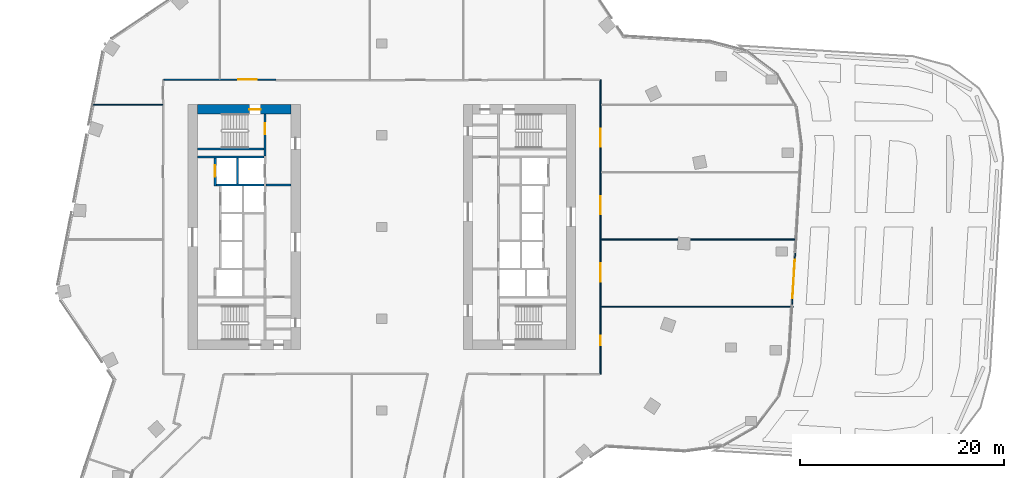
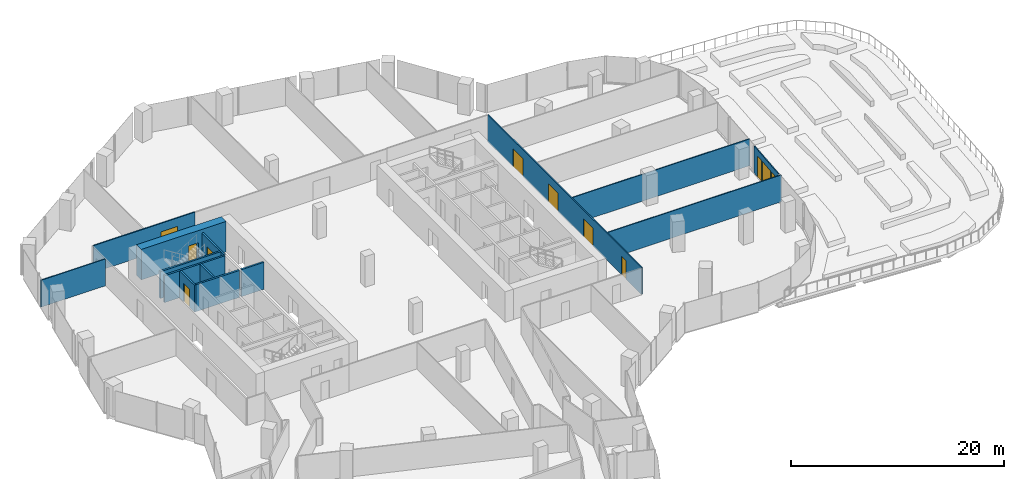
# One storey, part 22 of 26: 14 walls, 9 doors, 2 windows, 11 openings.
"""IFC4 building model written with IfcOpenShell, lengths in metres."""

from ifc_helpers import new_model, si_unit, direction, frame, frame_2d, origin, place, context, subcontext, project, spatial, rectangle, extrude, material, layer, layer_set, type_object, element, fill, save


model = new_model("IFC4")

# Units and contexts
model_context = context("Model", 3, precision=1e-05, world=origin(), true_north=direction((0.0, 1.0)))
body_context = subcontext(model_context, "Body", "Model", "MODEL_VIEW")
ifc_project = project(units=[si_unit("LENGTHUNIT", "METRE"), si_unit("AREAUNIT", "SQUARE_METRE"), si_unit("VOLUMEUNIT", "CUBIC_METRE"), si_unit("PLANEANGLEUNIT", "RADIAN"), si_unit("MASSUNIT", "GRAM", prefix="KILO")], contexts=[model_context])

# Site, building, storey
site_placement = place(None, origin())
site = spatial("IfcSite", under=ifc_project, at=site_placement, CompositionType="ELEMENT")
building_placement = place(site_placement, origin())
building = spatial("IfcBuilding", under=site, at=building_placement, Name="Orlundy Tower", CompositionType="ELEMENT")
storey_placement = place(building_placement, frame((0.0, 0.0, 156.10009765625)))
storey = spatial("IfcBuildingStorey", under=building, at=storey_placement, Name="L40", CompositionType="ELEMENT", Elevation=156.10009765625)

# Wall, opening, door
ifc_material_1 = material(Name="Concrete C70/85", Category="concrete")
ifc_layer_1 = layer(ifc_material_1, 0.89990234375)
ifc_layer_set_1 = layer_set([ifc_layer_1], Name="CORE WALL 900 C70/85")
wall_type_1 = type_object("IfcWallType", Name="CORE WALL 900 C70/85", PredefinedType="SHEAR", material=ifc_layer_set_1)
wall_1_placement = place(storey_placement, frame((-18.10009765625, 11.550048828125, 0.0), z_axis=(0.0, 0.0, 1.0), x_axis=(1.0, 0.0, 0.0)))
wall_1 = element("IfcWall", 1, at=wall_1_placement, inside=storey, type_object=wall_type_1, Name="Core wall W-N L40", PredefinedType="SHEAR", context=body_context, shape_type="SweptSolid", body=[
    extrude(rectangle(XDim=9.2001953125, YDim=0.89990234375, at=frame_2d((4.60009765625, 0.0))), origin(), (0.0, 0.0, 1.0), 3.5),
])
opening_1_placement = place(wall_1_placement, frame((5.10009765625, 0.0, 0.0)))
opening_1 = element("IfcOpeningElement", 2, at=opening_1_placement, cuts=wall_1, Name="Opening 31012", PredefinedType="OPENING", context=body_context, shape_type="SweptSolid", body=[
    extrude(rectangle(XDim=1.10009765625, YDim=2.10009765625, at=frame_2d((0.550048828125, 1.050048828125))), frame((0.0, 0.4599609375, 0.0), z_axis=(0.0, -1.0, 0.0), x_axis=(1.0, 0.0, 0.0)), (0.0, 0.0, 1.0), 0.919921875),
])
ifc_material_2 = material(Name="Steel door set", Category="steel")
door_type_1 = type_object("IfcDoorType", Name="Stair Door 1100x2100", OperationType="SINGLE_SWING_LEFT", PredefinedType="DOOR", material=ifc_material_2)
door_1_placement = place(opening_1_placement, origin())
door_1 = element("IfcDoor", 3, at=door_1_placement, inside=storey, type_object=door_type_1, Name="Stair door 31012", OperationType="SINGLE_SWING_RIGHT", OverallHeight=2.10009765625, OverallWidth=1.10009765625, PredefinedType="DOOR", context=body_context, shape_type="SweptSolid", body=[
    extrude(rectangle(XDim=1.10009765625, YDim=2.10009765625, at=frame_2d((0.550048828125, 1.050048828125))), frame((0.0, 0.02490234375, 0.0), z_axis=(0.0, -1.0, 0.0), x_axis=(1.0, 0.0, 0.0)), (0.0, 0.0, 1.0), 0.050048828125),
])
fill(opening_1, door_1)

# Walls
ifc_material_3 = material(Name="Gypsum board partition")
ifc_layer_2 = layer(ifc_material_3, 0.10009765625)
ifc_layer_set_2 = layer_set([ifc_layer_2], Name="Floor partition 100")
wall_type_2 = type_object("IfcWallType", Name="Floor partition 100", PredefinedType="PARTITIONING", material=ifc_layer_set_2)
wall_2_placement = place(storey_placement, frame((21.511962890625, -7.8359375, 0.0), z_axis=(0.0, 0.0, 1.0), x_axis=(1.0, 0.0, 0.0)))
element("IfcWall", 4, at=wall_2_placement, inside=storey, type_object=wall_type_2, Name="wall-int-L40-029", PredefinedType="PARTITIONING", context=body_context, shape_type="SweptSolid", body=[
    extrude(rectangle(XDim=18.833984375, YDim=0.10009765625, at=frame_2d((9.4169921875, 0.0))), origin(), (0.0, 0.0, 1.0), 3.079833984375),
])
wall_3_placement = place(storey_placement, frame((21.511962890625, -1.22412109375, 0.0), z_axis=(0.0, 0.0, 1.0), x_axis=(1.0, 0.0, 0.0)))
element("IfcWall", 5, at=wall_3_placement, inside=storey, type_object=wall_type_2, Name="wall-int-L40-031", PredefinedType="PARTITIONING", context=body_context, shape_type="SweptSolid", body=[
    extrude(rectangle(XDim=19.239013671875, YDim=0.10009765625, at=frame_2d((9.61962890625, 0.0))), origin(), (0.0, 0.0, 1.0), 3.079833984375),
])
wall_4_placement = place(storey_placement, frame((-28.48388671875, 12.0, 0.0), z_axis=(0.0, 0.0, 1.0), x_axis=(1.0, 0.0, 0.0)))
element("IfcWall", 6, at=wall_4_placement, inside=storey, type_object=wall_type_2, Name="wall-int-L40-033", PredefinedType="PARTITIONING", context=body_context, shape_type="SweptSolid", body=[
    extrude(rectangle(XDim=6.971923828125, YDim=0.10009765625, at=frame_2d((3.48583984375, 0.0))), origin(), (0.0, 0.0, 1.0), 3.079833984375),
])

# Wall, opening, door
ifc_material_4 = material(Name="Gypsum board partition, double layer")
ifc_layer_3 = layer(ifc_material_4, 0.125)
ifc_layer_set_3 = layer_set([ifc_layer_3], Name="Floor partition 125")
wall_type_3 = type_object("IfcWallType", Name="Floor partition 125", PredefinedType="PARTITIONING", material=ifc_layer_set_3)
wall_5_placement = place(storey_placement, frame((-21.386962890625, 14.450927734375, 0.0), z_axis=(0.0, 0.0, 1.0), x_axis=(1.0, 0.0, 0.0)))
wall_5 = element("IfcWall", 7, at=wall_5_placement, inside=storey, type_object=wall_type_3, Name="wall-int-L40-036", PredefinedType="PARTITIONING", context=body_context, shape_type="SweptSolid", body=[
    extrude(rectangle(XDim=10.995849609375, YDim=0.125, at=frame_2d((5.498046875, 0.0))), origin(), (0.0, 0.0, 1.0), 3.079833984375),
])
opening_2_placement = place(wall_5_placement, frame((7.3173828125, 0.0, 0.0)))
opening_2 = element("IfcOpeningElement", 8, at=opening_2_placement, cuts=wall_5, Name="Opening 31125", PredefinedType="OPENING", context=body_context, shape_type="SweptSolid", body=[
    extrude(rectangle(XDim=1.800048828125, YDim=2.10009765625, at=frame_2d((0.89990234375, 1.050048828125))), frame((0.0, 0.072509765625, 0.0), z_axis=(0.0, -1.0, 0.0), x_axis=(1.0, 0.0, 0.0)), (0.0, 0.0, 1.0), 0.14501953125),
])
ifc_material_5 = material(Name="Timber door leaf", Category="wood")
door_type_2 = type_object("IfcDoorType", Name="Floor door double 1800 FD30S", OperationType="NOTDEFINED", PredefinedType="DOOR", material=ifc_material_5)
door_2_placement = place(opening_2_placement, origin())
door_2 = element("IfcDoor", 9, at=door_2_placement, inside=storey, type_object=door_type_2, Name="Door 31125", OperationType="DOUBLE_DOOR_SINGLE_SWING", OverallHeight=2.10009765625, OverallWidth=1.800048828125, PredefinedType="DOOR", context=body_context, shape_type="SweptSolid", body=[
    extrude(rectangle(XDim=1.800048828125, YDim=2.10009765625, at=frame_2d((0.89990234375, 1.050048828125))), frame((0.0, 0.02490234375, 0.0), z_axis=(0.0, -1.0, 0.0), x_axis=(1.0, 0.0, 0.0)), (0.0, 0.0, 1.0), 0.050048828125),
])
fill(opening_2, door_2)

# Wall, openings, doors
wall_6_placement = place(storey_placement, frame((21.449951171875, 14.450927734375, 0.0), z_axis=(0.0, 0.0, 1.0), x_axis=(0.0, -1.0, 0.0)))
wall_6 = element("IfcWall", 10, at=wall_6_placement, inside=storey, type_object=wall_type_3, Name="wall-int-L40-062", PredefinedType="PARTITIONING", context=body_context, shape_type="SweptSolid", body=[
    extrude(rectangle(XDim=28.90185546875, YDim=0.125, at=frame_2d((14.450927734375, 0.0))), origin(), (0.0, 0.0, 1.0), 3.079833984375),
])
opening_3_placement = place(wall_6_placement, frame((25.136962890625, 0.0, 0.0)))
opening_3 = element("IfcOpeningElement", 11, at=opening_3_placement, cuts=wall_6, Name="Opening 31118", PredefinedType="OPENING", context=body_context, shape_type="SweptSolid", body=[
    extrude(rectangle(XDim=0.89990234375, YDim=2.10009765625, at=frame_2d((0.449951171875, 1.050048828125))), frame((0.0, 0.072509765625, 0.0), z_axis=(0.0, -1.0, 0.0), x_axis=(1.0, 0.0, 0.0)), (0.0, 0.0, 1.0), 0.14501953125),
])
opening_4_placement = place(wall_6_placement, frame((18.02490234375, 0.0, 0.0)))
opening_4 = element("IfcOpeningElement", 12, at=opening_4_placement, cuts=wall_6, Name="Opening 31119", PredefinedType="OPENING", context=body_context, shape_type="SweptSolid", body=[
    extrude(rectangle(XDim=1.800048828125, YDim=2.10009765625, at=frame_2d((0.89990234375, 1.050048828125))), frame((0.0, 0.072509765625, 0.0), z_axis=(0.0, -1.0, 0.0), x_axis=(1.0, 0.0, 0.0)), (0.0, 0.0, 1.0), 0.14501953125),
])
opening_5_placement = place(wall_6_placement, frame((11.4130859375, 0.0, 0.0)))
opening_5 = element("IfcOpeningElement", 13, at=opening_5_placement, cuts=wall_6, Name="Opening 31120", PredefinedType="OPENING", context=body_context, shape_type="SweptSolid", body=[
    extrude(rectangle(XDim=1.800048828125, YDim=2.10009765625, at=frame_2d((0.89990234375, 1.050048828125))), frame((0.0, 0.072509765625, 0.0), z_axis=(0.0, -1.0, 0.0), x_axis=(1.0, 0.0, 0.0)), (0.0, 0.0, 1.0), 0.14501953125),
])
opening_6_placement = place(wall_6_placement, frame((4.801025390625, 0.0, 0.0)))
opening_6 = element("IfcOpeningElement", 14, at=opening_6_placement, cuts=wall_6, Name="Opening 31121", PredefinedType="OPENING", context=body_context, shape_type="SweptSolid", body=[
    extrude(rectangle(XDim=1.800048828125, YDim=2.10009765625, at=frame_2d((0.89990234375, 1.050048828125))), frame((0.0, 0.072509765625, 0.0), z_axis=(0.0, -1.0, 0.0), x_axis=(1.0, 0.0, 0.0)), (0.0, 0.0, 1.0), 0.14501953125),
])
door_3_placement = place(opening_4_placement, origin())
door_3 = element("IfcDoor", 15, at=door_3_placement, inside=storey, type_object=door_type_2, Name="Door 31119", OperationType="DOUBLE_DOOR_SINGLE_SWING", OverallHeight=2.10009765625, OverallWidth=1.800048828125, PredefinedType="DOOR", context=body_context, shape_type="SweptSolid", body=[
    extrude(rectangle(XDim=1.800048828125, YDim=2.10009765625, at=frame_2d((0.89990234375, 1.050048828125))), frame((0.0, 0.02490234375, 0.0), z_axis=(0.0, -1.0, 0.0), x_axis=(1.0, 0.0, 0.0)), (0.0, 0.0, 1.0), 0.050048828125),
])
fill(opening_4, door_3)
door_4_placement = place(opening_5_placement, origin())
door_4 = element("IfcDoor", 16, at=door_4_placement, inside=storey, type_object=door_type_2, Name="Door 31120", OperationType="DOUBLE_DOOR_SINGLE_SWING", OverallHeight=2.10009765625, OverallWidth=1.800048828125, PredefinedType="DOOR", context=body_context, shape_type="SweptSolid", body=[
    extrude(rectangle(XDim=1.800048828125, YDim=2.10009765625, at=frame_2d((0.89990234375, 1.050048828125))), frame((0.0, 0.02490234375, 0.0), z_axis=(0.0, -1.0, 0.0), x_axis=(1.0, 0.0, 0.0)), (0.0, 0.0, 1.0), 0.050048828125),
])
fill(opening_5, door_4)
door_5_placement = place(opening_6_placement, origin())
door_5 = element("IfcDoor", 17, at=door_5_placement, inside=storey, type_object=door_type_2, Name="Door 31121", OperationType="DOUBLE_DOOR_SINGLE_SWING", OverallHeight=2.10009765625, OverallWidth=1.800048828125, PredefinedType="DOOR", context=body_context, shape_type="SweptSolid", body=[
    extrude(rectangle(XDim=1.800048828125, YDim=2.10009765625, at=frame_2d((0.89990234375, 1.050048828125))), frame((0.0, 0.02490234375, 0.0), z_axis=(0.0, -1.0, 0.0), x_axis=(1.0, 0.0, 0.0)), (0.0, 0.0, 1.0), 0.050048828125),
])
fill(opening_6, door_5)
ifc_material_6 = material(Name="Timber door leaf", Category="wood")
door_type_3 = type_object("IfcDoorType", Name="Floor door single 900 FD30S", OperationType="NOTDEFINED", PredefinedType="DOOR", material=ifc_material_6)
door_6_placement = place(opening_3_placement, origin())
door_6 = element("IfcDoor", 18, at=door_6_placement, inside=storey, type_object=door_type_3, Name="Door 31118", OperationType="SINGLE_SWING_RIGHT", OverallHeight=2.10009765625, OverallWidth=0.89990234375, PredefinedType="DOOR", context=body_context, shape_type="SweptSolid", body=[
    extrude(rectangle(XDim=0.89990234375, YDim=2.10009765625, at=frame_2d((0.449951171875, 1.050048828125))), frame((0.0, 0.02490234375, 0.0), z_axis=(0.0, -1.0, 0.0), x_axis=(1.0, 0.0, 0.0)), (0.0, 0.0, 1.0), 0.050048828125),
])
fill(opening_3, door_6)

# Wall, openings, windows, door
ifc_material_7 = material(Name="Aluminium bronze and tinted glass", Category="aluminium")
ifc_layer_4 = layer(ifc_material_7, 0.10009765625)
ifc_layer_set_4 = layer_set([ifc_layer_4], Name="Glazed door screen")
wall_type_4 = type_object("IfcWallType", Name="Glazed door screen", PredefinedType="STANDARD", material=ifc_layer_set_4)
wall_7_placement = place(storey_placement, frame((40.55224609375, -2.50537109375, 0.0), z_axis=(0.0, 0.0, 1.0), x_axis=(-0.061033697925, -0.998135706063, 0.0)))
wall_7 = element("IfcWall", 19, at=wall_7_placement, inside=storey, type_object=wall_type_4, Name="Glazed door screen", PredefinedType="STANDARD", context=body_context, shape_type="SweptSolid", body=[
    extrude(rectangle(XDim=5.2001953125, YDim=0.10009765625, at=frame_2d((2.60009765625, 0.0))), origin(), (0.0, 0.0, 1.0), 3.099853515625),
])
opening_7_placement = place(wall_7_placement, frame((1.699951171875, 0.0, 0.0)))
opening_7 = element("IfcOpeningElement", 20, at=opening_7_placement, cuts=wall_7, Name="Opening 31940", PredefinedType="OPENING", context=body_context, shape_type="SweptSolid", body=[
    extrude(rectangle(XDim=1.800048828125, YDim=2.39990234375, at=frame_2d((0.89990234375, 1.199951171875))), frame((0.0, 0.06005859375, 0.0), z_axis=(0.0, -1.0, 0.0), x_axis=(1.0, 0.0, 0.0)), (0.0, 0.0, 1.0), 0.1201171875),
])
opening_8_placement = place(wall_7_placement, frame((0.699951171875, 0.0, 0.0)))
opening_8 = element("IfcOpeningElement", 21, at=opening_8_placement, cuts=wall_7, Name="Opening W02", PredefinedType="OPENING", context=body_context, shape_type="SweptSolid", body=[
    extrude(rectangle(XDim=0.89990234375, YDim=2.39990234375, at=frame_2d((0.449951171875, 1.199951171875))), frame((0.0, 0.06005859375, 0.0), z_axis=(0.0, -1.0, 0.0), x_axis=(1.0, 0.0, 0.0)), (0.0, 0.0, 1.0), 0.1201171875),
])
opening_9_placement = place(wall_7_placement, frame((3.60009765625, 0.0, 0.0)))
opening_9 = element("IfcOpeningElement", 22, at=opening_9_placement, cuts=wall_7, Name="Opening W02", PredefinedType="OPENING", context=body_context, shape_type="SweptSolid", body=[
    extrude(rectangle(XDim=0.89990234375, YDim=2.39990234375, at=frame_2d((0.449951171875, 1.199951171875))), frame((0.0, 0.06005859375, 0.0), z_axis=(0.0, -1.0, 0.0), x_axis=(1.0, 0.0, 0.0)), (0.0, 0.0, 1.0), 0.1201171875),
])
ifc_material_8 = material(Name="Tinted glass in bronze aluminium frame", Category="aluminium")
window_type = type_object("IfcWindowType", Name="SL2 sidelight 900x2400", PartitioningType="SINGLE_PANEL", PredefinedType="WINDOW", material=ifc_material_8)
window_1_placement = place(opening_8_placement, origin())
window_1 = element("IfcWindow", 23, at=window_1_placement, inside=storey, type_object=window_type, Name="Window W02 L40", OverallHeight=2.39990234375, OverallWidth=0.89990234375, PartitioningType="SINGLE_PANEL", PredefinedType="WINDOW", context=body_context, shape_type="SweptSolid", body=[
    extrude(rectangle(XDim=0.89990234375, YDim=2.39990234375, at=frame_2d((0.449951171875, 1.199951171875))), frame((0.0, 0.030029296875, 0.0), z_axis=(0.0, -1.0, 0.0), x_axis=(1.0, 0.0, 0.0)), (0.0, 0.0, 1.0), 0.06005859375),
])
fill(opening_8, window_1)
window_2_placement = place(opening_9_placement, origin())
window_2 = element("IfcWindow", 24, at=window_2_placement, inside=storey, type_object=window_type, Name="Window W02 L40", OverallHeight=2.39990234375, OverallWidth=0.89990234375, PartitioningType="SINGLE_PANEL", PredefinedType="WINDOW", context=body_context, shape_type="SweptSolid", body=[
    extrude(rectangle(XDim=0.89990234375, YDim=2.39990234375, at=frame_2d((0.449951171875, 1.199951171875))), frame((0.0, 0.030029296875, 0.0), z_axis=(0.0, -1.0, 0.0), x_axis=(1.0, 0.0, 0.0)), (0.0, 0.0, 1.0), 0.06005859375),
])
fill(opening_9, window_2)
ifc_material_9 = material(Name="Aluminium bronze and tinted glass", Category="aluminium")
door_type_4 = type_object("IfcDoorType", Name="TD1 terrace door 1800x2400", OperationType="NOTDEFINED", PredefinedType="DOOR", material=ifc_material_9)
door_7_placement = place(opening_7_placement, origin())
door_7 = element("IfcDoor", 25, at=door_7_placement, inside=storey, type_object=door_type_4, Name="Door 31940", OperationType="DOUBLE_DOOR_SINGLE_SWING", OverallHeight=2.39990234375, OverallWidth=1.800048828125, PredefinedType="DOOR", context=body_context, shape_type="SweptSolid", body=[
    extrude(rectangle(XDim=1.800048828125, YDim=2.39990234375, at=frame_2d((0.89990234375, 1.199951171875))), frame((0.0, 0.02490234375, 0.0), z_axis=(0.0, -1.0, 0.0), x_axis=(1.0, 0.0, 0.0)), (0.0, 0.0, 1.0), 0.050048828125),
])
fill(opening_7, door_7)

# Wall, opening, door
ifc_material_10 = material(Name="Concrete C40/50", Category="concrete")
ifc_layer_5 = layer(ifc_material_10, 0.199951171875)
ifc_layer_set_5 = layer_set([ifc_layer_5], Name="Load-bearing Shaft Wall 200")
wall_type_5 = type_object("IfcWallType", Name="Load-bearing Shaft Wall 200", PredefinedType="SOLIDWALL", material=ifc_layer_set_5)
wall_8_placement = place(storey_placement, frame((-11.43994140625, 6.97509765625, 0.0), z_axis=(0.0, 0.0, 1.0), x_axis=(0.0, 1.0, 0.0)))
wall_8 = element("IfcWall", 26, at=wall_8_placement, inside=storey, type_object=wall_type_5, Name="Shaft wall W31-stair-end-n", PredefinedType="SOLIDWALL", context=body_context, shape_type="SweptSolid", body=[
    extrude(rectangle(XDim=4.125, YDim=0.199951171875, at=frame_2d((2.0625, 0.0))), origin(), (0.0, 0.0, 1.0), 3.08984375),
])
opening_10_placement = place(wall_8_placement, frame((2.10009765625, 0.0, 0.0)))
opening_10 = element("IfcOpeningElement", 27, at=opening_10_placement, cuts=wall_8, Name="Opening 31014", PredefinedType="OPENING", context=body_context, shape_type="SweptSolid", body=[
    extrude(rectangle(XDim=1.10009765625, YDim=2.10009765625, at=frame_2d((0.550048828125, 1.050048828125))), frame((0.0, 0.110107421875, 0.0), z_axis=(0.0, -1.0, 0.0), x_axis=(1.0, 0.0, 0.0)), (0.0, 0.0, 1.0), 0.22021484375),
])
ifc_material_11 = material(Name="Steel door set", Category="steel")
door_type_5 = type_object("IfcDoorType", Name="Fire-fighting Lobby Door 1100x2100", OperationType="SINGLE_SWING_LEFT", PredefinedType="DOOR", material=ifc_material_11)
door_8_placement = place(opening_10_placement, origin())
door_8 = element("IfcDoor", 28, at=door_8_placement, inside=storey, type_object=door_type_5, Name="Fire-fighting lobby to stair door 31014", OperationType="SINGLE_SWING_RIGHT", OverallHeight=2.10009765625, OverallWidth=1.10009765625, PredefinedType="DOOR", context=body_context, shape_type="SweptSolid", body=[
    extrude(rectangle(XDim=1.10009765625, YDim=2.10009765625, at=frame_2d((0.550048828125, 1.050048828125))), frame((0.0, 0.02490234375, 0.0), z_axis=(0.0, -1.0, 0.0), x_axis=(1.0, 0.0, 0.0)), (0.0, 0.0, 1.0), 0.050048828125),
])
fill(opening_10, door_8)

# Walls
wall_9_placement = place(storey_placement, frame((-11.5400390625, 7.64990234375, 0.0), z_axis=(0.0, 0.0, 1.0), x_axis=(-1.0, 0.0, 0.0)))
element("IfcWall", 29, at=wall_9_placement, inside=storey, type_object=wall_type_5, Name="Shaft wall W31-stair-side-n", PredefinedType="SOLIDWALL", context=body_context, shape_type="SweptSolid", body=[
    extrude(rectangle(XDim=6.56005859375, YDim=0.199951171875, at=frame_2d((3.280029296875, 0.0))), origin(), (0.0, 0.0, 1.0), 3.08984375),
])
ifc_material_12 = material(Name="Gypsum board partition on steel studs", Category="steel")
ifc_layer_6 = layer(ifc_material_12, 0.199951171875)
ifc_layer_set_6 = layer_set([ifc_layer_6], Name="Partition 200")
wall_type_6 = type_object("IfcWallType", Name="Partition 200", PredefinedType="PARTITIONING", material=ifc_layer_set_6)
wall_10_placement = place(storey_placement, frame((-8.89990234375, 4.125, 0.0), z_axis=(0.0, 0.0, 1.0), x_axis=(-1.0, 0.0, 0.0)))
element("IfcWall", 30, at=wall_10_placement, inside=storey, type_object=wall_type_6, Name="Partition wall W31-lobby-n", PredefinedType="PARTITIONING", context=body_context, shape_type="SweptSolid", body=[
    extrude(rectangle(XDim=2.440185546875, YDim=0.199951171875, at=frame_2d((1.22021484375, 0.0))), origin(), (0.0, 0.0, 1.0), 3.08984375),
])
ifc_material_13 = material(Name="Fire-rated blockwork shaft wall", Category="masonry")
ifc_layer_7 = layer(ifc_material_13, 0.199951171875)
ifc_layer_set_7 = layer_set([ifc_layer_7], Name="Shaft Wall 200")
wall_type_7 = type_object("IfcWallType", Name="Shaft Wall 200", PredefinedType="SOLIDWALL", material=ifc_layer_set_7)
wall_11_placement = place(storey_placement, frame((-11.5400390625, 6.875, 0.0), z_axis=(0.0, 0.0, 1.0), x_axis=(-1.0, 0.0, 0.0)))
element("IfcWall", 31, at=wall_11_placement, inside=storey, type_object=wall_type_7, Name="Shaft wall W31-zone-n", PredefinedType="SOLIDWALL", context=body_context, shape_type="SweptSolid", body=[
    extrude(rectangle(XDim=6.56005859375, YDim=0.199951171875, at=frame_2d((3.280029296875, 0.0))), origin(), (0.0, 0.0, 1.0), 3.08984375),
])
wall_12_placement = place(storey_placement, frame((-11.5400390625, 4.125, 0.0), z_axis=(0.0, 0.0, 1.0), x_axis=(-1.0, 0.0, 0.0)))
element("IfcWall", 32, at=wall_12_placement, inside=storey, type_object=wall_type_7, Name="Shaft wall W31-cross+4.125", PredefinedType="SOLIDWALL", context=body_context, shape_type="SweptSolid", body=[
    extrude(rectangle(XDim=4.699951171875, YDim=0.199951171875, at=frame_2d((2.35009765625, 0.0))), origin(), (0.0, 0.0, 1.0), 3.08984375),
])
wall_13_placement = place(storey_placement, frame((-14.139892578125, 4.22509765625, 0.0), z_axis=(0.0, 0.0, 1.0), x_axis=(0.0, 1.0, 0.0)))
element("IfcWall", 33, at=wall_13_placement, inside=storey, type_object=wall_type_7, Name="Shaft wall W31-mid-b", PredefinedType="SOLIDWALL", context=body_context, shape_type="SweptSolid", body=[
    extrude(rectangle(XDim=2.5498046875, YDim=0.199951171875, at=frame_2d((1.27490234375, 0.0))), origin(), (0.0, 0.0, 1.0), 3.08984375),
])

# Wall, opening, door
wall_14_placement = place(storey_placement, frame((-16.340087890625, 4.02490234375, 0.0), z_axis=(0.0, 0.0, 1.0), x_axis=(0.0, 1.0, 0.0)))
wall_14 = element("IfcWall", 34, at=wall_14_placement, inside=storey, type_object=wall_type_7, Name="Shaft wall W31-front-o-c", PredefinedType="SOLIDWALL", context=body_context, shape_type="SweptSolid", body=[
    extrude(rectangle(XDim=2.75, YDim=0.199951171875, at=frame_2d((1.375, 0.0))), origin(), (0.0, 0.0, 1.0), 3.08984375),
])
opening_11_placement = place(wall_14_placement, frame((0.925048828125, 0.0, 0.0)))
opening_11 = element("IfcOpeningElement", 35, at=opening_11_placement, cuts=wall_14, Name="Opening 31006", PredefinedType="OPENING", context=body_context, shape_type="SweptSolid", body=[
    extrude(rectangle(XDim=1.10009765625, YDim=2.10009765625, at=frame_2d((0.550048828125, 1.050048828125))), frame((0.0, 0.110107421875, 0.0), z_axis=(0.0, -1.0, 0.0), x_axis=(1.0, 0.0, 0.0)), (0.0, 0.0, 1.0), 0.22021484375),
])
ifc_material_14 = material(Name="Steel door set", Category="steel")
door_type_6 = type_object("IfcDoorType", Name="Landing Door 1100x2100", OperationType="DOUBLE_DOOR_SLIDING", PredefinedType="DOOR", material=ifc_material_14)
door_9_placement = place(opening_11_placement, origin())
door_9 = element("IfcDoor", 36, at=door_9_placement, inside=storey, type_object=door_type_6, Name="Lift landing door LP-14 31006", OperationType="DOUBLE_DOOR_SLIDING", OverallHeight=2.10009765625, OverallWidth=1.10009765625, PredefinedType="DOOR", context=body_context, shape_type="SweptSolid", body=[
    extrude(rectangle(XDim=1.10009765625, YDim=2.10009765625, at=frame_2d((0.550048828125, 1.050048828125))), frame((0.0, 0.02490234375, 0.0), z_axis=(0.0, -1.0, 0.0), x_axis=(1.0, 0.0, 0.0)), (0.0, 0.0, 1.0), 0.050048828125),
])
fill(opening_11, door_9)

save(model, "model.ifc")
